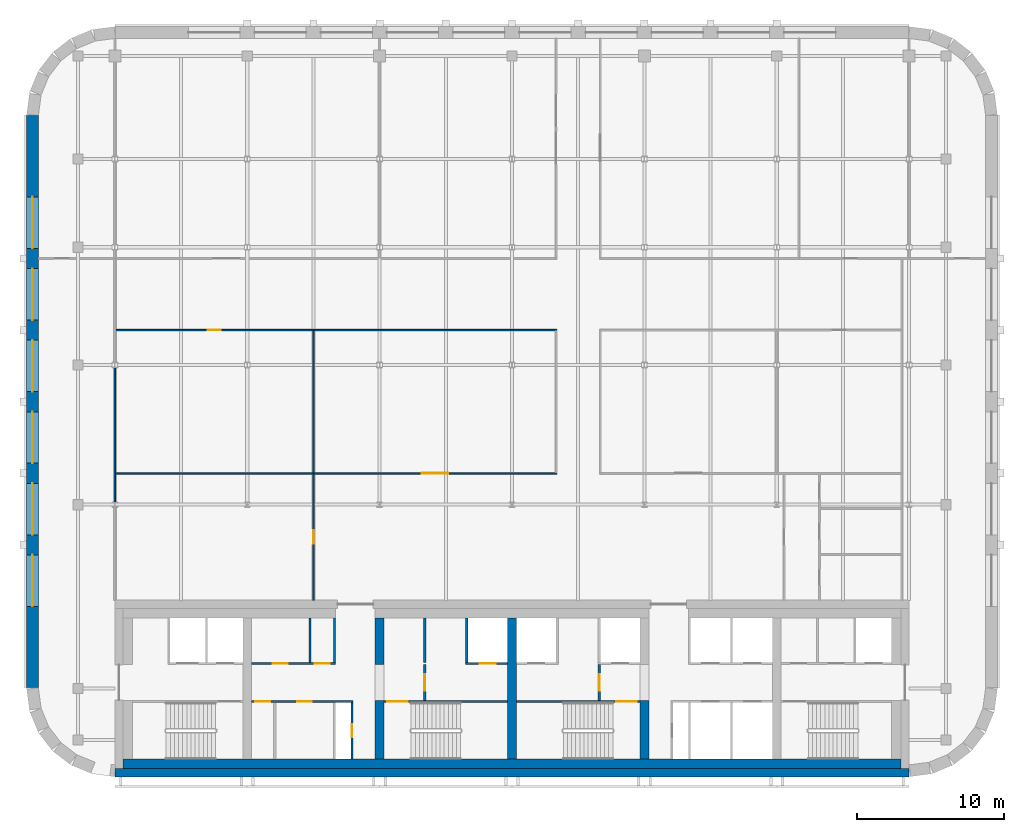
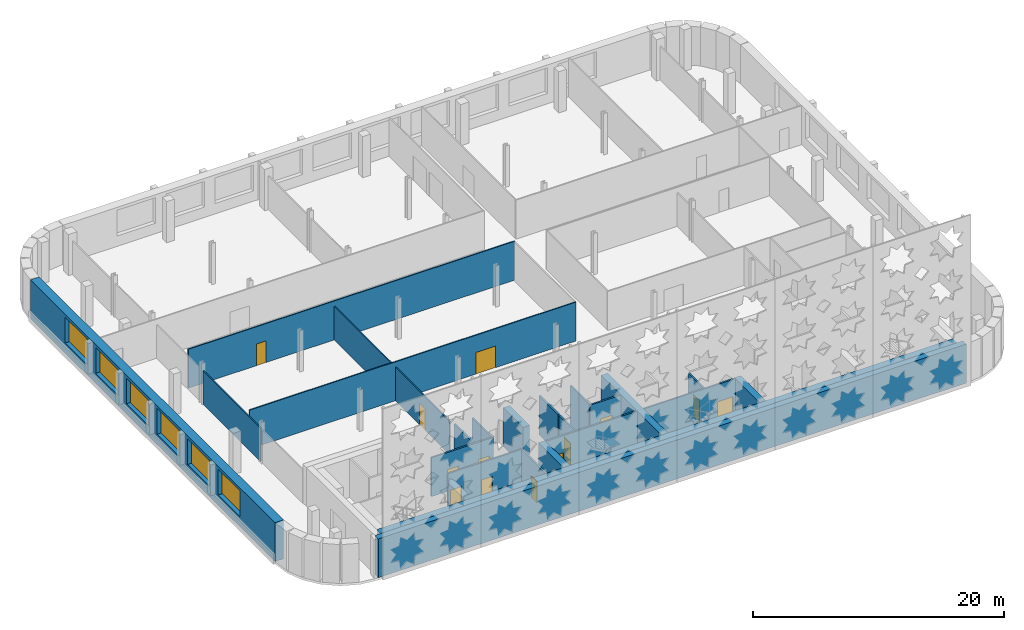
# One storey, part 7 of 14: 24 walls, 13 doors, 6 windows, 19 openings.
"""IFC4 building model written with IfcOpenShell, lengths in metres."""

from ifc_helpers import new_model, si_unit, direction, frame, frame_2d, origin, place, context, subcontext, project, spatial, rectangle, extrude, material, layer, layer_set, type_object, element, fill, save


model = new_model("IFC4")

# Units and contexts
model_context = context("Model", 3, precision=1e-05, world=origin(), true_north=direction((0.0, 1.0)))
body_context = subcontext(model_context, "Body", "Model", "MODEL_VIEW")
ifc_project = project(units=[si_unit("LENGTHUNIT", "METRE"), si_unit("AREAUNIT", "SQUARE_METRE"), si_unit("VOLUMEUNIT", "CUBIC_METRE"), si_unit("PLANEANGLEUNIT", "RADIAN"), si_unit("MASSUNIT", "GRAM", prefix="KILO")], contexts=[model_context])

# Site, building, storey
site_placement = place(None, origin())
site = spatial("IfcSite", under=ifc_project, at=site_placement, CompositionType="ELEMENT")
building_placement = place(site_placement, origin())
building = spatial("IfcBuilding", under=site, at=building_placement, Name="Zellij Exchange Tower", CompositionType="ELEMENT")
storey_placement = place(building_placement, frame((0.0, 0.0, 288.5)))
storey = spatial("IfcBuildingStorey", under=building, at=storey_placement, Name="L68", CompositionType="ELEMENT", Elevation=288.5)

# Walls
ifc_material_1 = material(Name="Concrete C50/60", Category="concrete")
ifc_layer_1 = layer(ifc_material_1, 0.60009765625)
ifc_layer_set_1 = layer_set([ifc_layer_1], Name="Concrete C50/60")
wall_type_1 = type_object("IfcWallType", Name="CORE-CW 600 C50/60", PredefinedType="SHEAR", material=ifc_layer_set_1)
wall_1_placement = place(storey_placement, frame((-9.0, -12.800048828125, 0.0), z_axis=(0.0, 0.0, 1.0), x_axis=(0.0, 1.0, 0.0)))
element("IfcWall", 1, at=wall_1_placement, inside=storey, type_object=wall_type_1, Name="Core cross wall pier x -9 a L68", PredefinedType="SHEAR", context=body_context, shape_type="SweptSolid", body=[
    extrude(rectangle(XDim=4.0, YDim=0.60009765625, at=frame_2d((2.0, 0.0))), origin(), (0.0, 0.0, 1.0), 3.780029296875),
])
wall_2_placement = place(storey_placement, frame((-9.0, -6.375, 0.0), z_axis=(0.0, 0.0, 1.0), x_axis=(0.0, 1.0, 0.0)))
element("IfcWall", 2, at=wall_2_placement, inside=storey, type_object=wall_type_1, Name="Core cross wall pier x -9 b L68", PredefinedType="SHEAR", context=body_context, shape_type="SweptSolid", body=[
    extrude(rectangle(XDim=3.175048828125, YDim=0.60009765625, at=frame_2d((1.58740234375, 0.0))), origin(), (0.0, 0.0, 1.0), 3.780029296875),
])
wall_3_placement = place(storey_placement, frame((0.0, -12.800048828125, 0.0), z_axis=(0.0, 0.0, 1.0), x_axis=(0.0, 1.0, 0.0)))
element("IfcWall", 3, at=wall_3_placement, inside=storey, type_object=wall_type_1, Name="Core cross wall x 0 L68", PredefinedType="SHEAR", context=body_context, shape_type="SweptSolid", body=[
    extrude(rectangle(XDim=9.60009765625, YDim=0.60009765625, at=frame_2d((4.800048828125, 0.0))), origin(), (0.0, 0.0, 1.0), 3.780029296875),
])
wall_4_placement = place(storey_placement, frame((9.0, -12.800048828125, 0.0), z_axis=(0.0, 0.0, 1.0), x_axis=(0.0, 1.0, 0.0)))
element("IfcWall", 4, at=wall_4_placement, inside=storey, type_object=wall_type_1, Name="Core cross wall pier x 9 a L68", PredefinedType="SHEAR", context=body_context, shape_type="SweptSolid", body=[
    extrude(rectangle(XDim=4.0, YDim=0.60009765625, at=frame_2d((2.0, 0.0))), origin(), (0.0, 0.0, 1.0), 3.780029296875),
])
ifc_material_2 = material(Name="Concrete C30/37", Category="concrete")
ifc_layer_2 = layer(ifc_material_2, 0.64990234375)
ifc_layer_set_2 = layer_set([ifc_layer_2], Name="Concrete C30/37")
wall_type_2 = type_object("IfcWallType", Name="CORE-LW 650 C30/37", PredefinedType="SHEAR", material=ifc_layer_set_2)
wall_5_placement = place(storey_placement, frame((-26.449951171875, -13.125, 0.0), z_axis=(0.0, 0.0, 1.0), x_axis=(1.0, 0.0, 0.0)))
element("IfcWall", 5, at=wall_5_placement, inside=storey, type_object=wall_type_2, Name="Core wall lining rear.0 L68", PredefinedType="SHEAR", context=body_context, shape_type="SweptSolid", body=[
    extrude(rectangle(XDim=52.89990234375, YDim=0.64990234375, at=frame_2d((26.449951171875, 0.0))), origin(), (0.0, 0.0, 1.0), 3.780029296875),
])

# Wall, opening, door
ifc_material_3 = material(Name="Gypsum shaft wall system")
ifc_layer_3 = layer(ifc_material_3, 0.14990234375)
ifc_layer_set_3 = layer_set([ifc_layer_3], Name="Gypsum shaft wall system")
wall_type_3 = type_object("IfcWallType", Name="CORE-PW 150 Firefighting lobby wall", PredefinedType="PARTITIONING", material=ifc_layer_set_3)
wall_6_placement = place(storey_placement, frame((-5.925048828125, -8.800048828125, 0.0), z_axis=(0.0, 0.0, 1.0), x_axis=(0.0, 1.0, 0.0)))
wall_6 = element("IfcWall", 6, at=wall_6_placement, inside=storey, type_object=wall_type_3, Name="Firefighting lobby wall L68", PredefinedType="PARTITIONING", context=body_context, shape_type="SweptSolid", body=[
    extrude(rectangle(XDim=2.425048828125, YDim=0.14990234375, at=frame_2d((1.21240234375, 0.0))), origin(), (0.0, 0.0, 1.0), 3.780029296875),
])
opening_1_placement = place(wall_6_placement, frame((0.662109375, 0.0, 0.0)))
opening_1 = element("IfcOpeningElement", 7, at=opening_1_placement, cuts=wall_6, Name="Opening CA-35.12", PredefinedType="OPENING", context=body_context, shape_type="SweptSolid", body=[
    extrude(rectangle(XDim=1.10009765625, YDim=2.10009765625, at=frame_2d((0.550048828125, 1.050048828125))), frame((0.0, 0.0869140625, 0.0), z_axis=(0.0, -1.0, 0.0), x_axis=(1.0, 0.0, 0.0)), (0.0, 0.0, 1.0), 0.173828125),
])
ifc_material_4 = material(Name="Hollow metal fire door")
door_type_1 = type_object("IfcDoorType", Name="CORE-D F Firefighting lobby door 1100x2100 1 HR", OperationType="NOTDEFINED", PredefinedType="DOOR", material=ifc_material_4)
door_1_placement = place(opening_1_placement, origin())
door_1 = element("IfcDoor", 8, at=door_1_placement, inside=storey, type_object=door_type_1, Name="Firefighting lobby door CA-35.12", OperationType="SINGLE_SWING_LEFT", OverallHeight=2.10009765625, OverallWidth=1.10009765625, PredefinedType="DOOR", context=body_context, shape_type="SweptSolid", body=[
    extrude(rectangle(XDim=1.10009765625, YDim=2.10009765625, at=frame_2d((0.550048828125, 1.050048828125))), frame((0.0, 0.02490234375, 0.0), z_axis=(0.0, -1.0, 0.0), x_axis=(1.0, 0.0, 0.0)), (0.0, 0.0, 1.0), 0.050048828125),
])
fill(opening_1, door_1)

wall_7_placement = place(storey_placement, frame((5.925048828125, -8.800048828125, 0.0), z_axis=(0.0, 0.0, 1.0), x_axis=(0.0, 1.0, 0.0)))
wall_7 = element("IfcWall", 9, at=wall_7_placement, inside=storey, type_object=wall_type_3, Name="Firefighting lobby wall L68", PredefinedType="PARTITIONING", context=body_context, shape_type="SweptSolid", body=[
    extrude(rectangle(XDim=2.425048828125, YDim=0.14990234375, at=frame_2d((1.21240234375, 0.0))), origin(), (0.0, 0.0, 1.0), 3.780029296875),
])
opening_2_placement = place(wall_7_placement, frame((0.662109375, 0.0, 0.0)))
opening_2 = element("IfcOpeningElement", 10, at=opening_2_placement, cuts=wall_7, Name="Opening CA-35.15", PredefinedType="OPENING", context=body_context, shape_type="SweptSolid", body=[
    extrude(rectangle(XDim=1.10009765625, YDim=2.10009765625, at=frame_2d((0.550048828125, 1.050048828125))), frame((0.0, 0.0869140625, 0.0), z_axis=(0.0, -1.0, 0.0), x_axis=(1.0, 0.0, 0.0)), (0.0, 0.0, 1.0), 0.173828125),
])
door_2_placement = place(opening_2_placement, origin())
door_2 = element("IfcDoor", 11, at=door_2_placement, inside=storey, type_object=door_type_1, Name="Firefighting lobby door CA-35.15", OperationType="SINGLE_SWING_RIGHT", OverallHeight=2.10009765625, OverallWidth=1.10009765625, PredefinedType="DOOR", context=body_context, shape_type="SweptSolid", body=[
    extrude(rectangle(XDim=1.10009765625, YDim=2.10009765625, at=frame_2d((0.550048828125, 1.050048828125))), frame((0.0, 0.02490234375, 0.0), z_axis=(0.0, -1.0, 0.0), x_axis=(1.0, 0.0, 0.0)), (0.0, 0.0, 1.0), 0.050048828125),
])
fill(opening_2, door_2)

# Walls
ifc_material_5 = material(Name="Gypsum board partition")
ifc_layer_4 = layer(ifc_material_5, 0.14990234375)
ifc_layer_set_4 = layer_set([ifc_layer_4], Name="Gypsum board partition")
wall_type_4 = type_object("IfcWallType", Name="CORE-PW 150 Lift lobby wall", PredefinedType="PARTITIONING", material=ifc_layer_set_4)
for number, where, z_axis, x_axis, name in (
    (12, (-12.074951171875, -6.22509765625, 0.0), (0.0, 0.0, 1.0), (0.0, 1.0, 0.0), "Lift lobby wall L68"),
    (13, (-13.72509765625, -6.22509765625, 0.0), (0.0, 0.0, 1.0), (0.0, 1.0, 0.0), "Lift lobby wall L68"),
    (14, (-5.925048828125, -6.22509765625, 0.0), (0.0, 0.0, 1.0), (0.0, 1.0, 0.0), "Lift lobby wall L68"),
):
    element("IfcWall", number, at=place(storey_placement, frame(where, z_axis=z_axis, x_axis=x_axis)), inside=storey, type_object=wall_type_4, Name=name, PredefinedType="PARTITIONING", context=body_context, shape_type="SweptSolid", body=[
        extrude(rectangle(XDim=3.025146484375, YDim=0.14990234375, at=frame_2d((1.5126953125, 0.0))), origin(), (0.0, 0.0, 1.0), 3.780029296875),
    ])

# Wall, opening, door
wall_8_placement = place(storey_placement, frame((-10.875, -12.800048828125, 0.0), z_axis=(0.0, 0.0, 1.0), x_axis=(0.0, 1.0, 0.0)))
wall_8 = element("IfcWall", 15, at=wall_8_placement, inside=storey, type_object=wall_type_4, Name="Lift lobby wall L68", PredefinedType="PARTITIONING", context=body_context, shape_type="SweptSolid", body=[
    extrude(rectangle(XDim=3.85009765625, YDim=0.14990234375, at=frame_2d((1.925048828125, 0.0))), origin(), (0.0, 0.0, 1.0), 3.780029296875),
])
opening_3_placement = place(wall_8_placement, frame((1.47509765625, 0.0, 0.0)))
opening_3 = element("IfcOpeningElement", 16, at=opening_3_placement, cuts=wall_8, Name="Opening CA-35.09", PredefinedType="OPENING", context=body_context, shape_type="SweptSolid", body=[
    extrude(rectangle(XDim=0.89990234375, YDim=2.10009765625, at=frame_2d((0.449951171875, 1.050048828125))), frame((0.0, 0.0869140625, 0.0), z_axis=(0.0, -1.0, 0.0), x_axis=(1.0, 0.0, 0.0)), (0.0, 0.0, 1.0), 0.173828125),
])
door_type_2 = type_object("IfcDoorType", Name="CORE-D RD Riser door 900x2100 1.5 HR", OperationType="NOTDEFINED", PredefinedType="DOOR", material=ifc_material_4)
door_3_placement = place(opening_3_placement, origin())
door_3 = element("IfcDoor", 17, at=door_3_placement, inside=storey, type_object=door_type_2, Name="Riser door CA-35.09", OperationType="SINGLE_SWING_RIGHT", OverallHeight=2.10009765625, OverallWidth=0.89990234375, PredefinedType="DOOR", context=body_context, shape_type="SweptSolid", body=[
    extrude(rectangle(XDim=0.89990234375, YDim=2.10009765625, at=frame_2d((0.449951171875, 1.050048828125))), frame((0.0, 0.02490234375, 0.0), z_axis=(0.0, -1.0, 0.0), x_axis=(1.0, 0.0, 0.0)), (0.0, 0.0, 1.0), 0.050048828125),
])
fill(opening_3, door_3)

# Wall, openings, doors
wall_9_placement = place(storey_placement, frame((-17.699951171875, -6.300048828125, 0.0), z_axis=(0.0, 0.0, 1.0), x_axis=(1.0, 0.0, 0.0)))
wall_9 = element("IfcWall", 18, at=wall_9_placement, inside=storey, type_object=wall_type_4, Name="Lift lobby wall L68", PredefinedType="PARTITIONING", context=body_context, shape_type="SweptSolid", body=[
    extrude(rectangle(XDim=5.699951171875, YDim=0.14990234375, at=frame_2d((2.85009765625, 0.0))), origin(), (0.0, 0.0, 1.0), 3.780029296875),
])
opening_4_placement = place(wall_9_placement, frame((1.449951171875, 0.0, 0.0)))
opening_4 = element("IfcOpeningElement", 19, at=opening_4_placement, cuts=wall_9, Name="Opening CA-35.06", PredefinedType="OPENING", context=body_context, shape_type="SweptSolid", body=[
    extrude(rectangle(XDim=1.0, YDim=2.10009765625, at=frame_2d((0.5, 1.050048828125))), frame((0.0, 0.0869140625, 0.0), z_axis=(0.0, -1.0, 0.0), x_axis=(1.0, 0.0, 0.0)), (0.0, 0.0, 1.0), 0.173828125),
])
opening_5_placement = place(wall_9_placement, frame((4.300048828125, 0.0, 0.0)))
opening_5 = element("IfcOpeningElement", 20, at=opening_5_placement, cuts=wall_9, Name="Opening CA-35.08", PredefinedType="OPENING", context=body_context, shape_type="SweptSolid", body=[
    extrude(rectangle(XDim=1.0, YDim=2.10009765625, at=frame_2d((0.5, 1.050048828125))), frame((0.0, 0.0869140625, 0.0), z_axis=(0.0, -1.0, 0.0), x_axis=(1.0, 0.0, 0.0)), (0.0, 0.0, 1.0), 0.173828125),
])
door_type_3 = type_object("IfcDoorType", Name="CORE-D CD Core room door 1000x2100 1 HR", OperationType="NOTDEFINED", PredefinedType="DOOR", material=ifc_material_4)
door_4_placement = place(opening_4_placement, origin())
door_4 = element("IfcDoor", 21, at=door_4_placement, inside=storey, type_object=door_type_3, Name="Core room door CA-35.06", OperationType="SINGLE_SWING_LEFT", OverallHeight=2.10009765625, OverallWidth=1.0, PredefinedType="DOOR", context=body_context, shape_type="SweptSolid", body=[
    extrude(rectangle(XDim=1.0, YDim=2.10009765625, at=frame_2d((0.5, 1.050048828125))), frame((0.0, 0.02490234375, 0.0), z_axis=(0.0, -1.0, 0.0), x_axis=(1.0, 0.0, 0.0)), (0.0, 0.0, 1.0), 0.050048828125),
])
fill(opening_4, door_4)
door_5_placement = place(opening_5_placement, origin())
door_5 = element("IfcDoor", 22, at=door_5_placement, inside=storey, type_object=door_type_3, Name="Core room door CA-35.08", OperationType="SINGLE_SWING_RIGHT", OverallHeight=2.10009765625, OverallWidth=1.0, PredefinedType="DOOR", context=body_context, shape_type="SweptSolid", body=[
    extrude(rectangle(XDim=1.0, YDim=2.10009765625, at=frame_2d((0.5, 1.050048828125))), frame((0.0, 0.02490234375, 0.0), z_axis=(0.0, -1.0, 0.0), x_axis=(1.0, 0.0, 0.0)), (0.0, 0.0, 1.0), 0.050048828125),
])
fill(opening_5, door_5)

wall_10_placement = place(storey_placement, frame((-17.699951171875, -8.875, 0.0), z_axis=(0.0, 0.0, 1.0), x_axis=(1.0, 0.0, 0.0)))
wall_10 = element("IfcWall", 23, at=wall_10_placement, inside=storey, type_object=wall_type_4, Name="Lift lobby wall L68", PredefinedType="PARTITIONING", context=body_context, shape_type="SweptSolid", body=[
    extrude(rectangle(XDim=6.89990234375, YDim=0.14990234375, at=frame_2d((3.449951171875, 0.0))), origin(), (0.0, 0.0, 1.0), 3.780029296875),
])
opening_6_placement = place(wall_10_placement, frame((0.25, 0.0, 0.0)))
opening_6 = element("IfcOpeningElement", 24, at=opening_6_placement, cuts=wall_10, Name="Opening CA-35.05", PredefinedType="OPENING", context=body_context, shape_type="SweptSolid", body=[
    extrude(rectangle(XDim=1.0, YDim=2.10009765625, at=frame_2d((0.5, 1.050048828125))), frame((0.0, 0.0869140625, 0.0), z_axis=(0.0, -1.0, 0.0), x_axis=(1.0, 0.0, 0.0)), (0.0, 0.0, 1.0), 0.173828125),
])
opening_7_placement = place(wall_10_placement, frame((3.10009765625, 0.0, 0.0)))
opening_7 = element("IfcOpeningElement", 25, at=opening_7_placement, cuts=wall_10, Name="Opening CA-35.07", PredefinedType="OPENING", context=body_context, shape_type="SweptSolid", body=[
    extrude(rectangle(XDim=1.0, YDim=2.10009765625, at=frame_2d((0.5, 1.050048828125))), frame((0.0, 0.0869140625, 0.0), z_axis=(0.0, -1.0, 0.0), x_axis=(1.0, 0.0, 0.0)), (0.0, 0.0, 1.0), 0.173828125),
])
door_6_placement = place(opening_6_placement, origin())
door_6 = element("IfcDoor", 26, at=door_6_placement, inside=storey, type_object=door_type_3, Name="Core room door CA-35.05", OperationType="SINGLE_SWING_RIGHT", OverallHeight=2.10009765625, OverallWidth=1.0, PredefinedType="DOOR", context=body_context, shape_type="SweptSolid", body=[
    extrude(rectangle(XDim=1.0, YDim=2.10009765625, at=frame_2d((0.5, 1.050048828125))), frame((0.0, 0.02490234375, 0.0), z_axis=(0.0, -1.0, 0.0), x_axis=(1.0, 0.0, 0.0)), (0.0, 0.0, 1.0), 0.050048828125),
])
fill(opening_6, door_6)
door_7_placement = place(opening_7_placement, origin())
door_7 = element("IfcDoor", 27, at=door_7_placement, inside=storey, type_object=door_type_3, Name="Core room door CA-35.07", OperationType="SINGLE_SWING_LEFT", OverallHeight=2.10009765625, OverallWidth=1.0, PredefinedType="DOOR", context=body_context, shape_type="SweptSolid", body=[
    extrude(rectangle(XDim=1.0, YDim=2.10009765625, at=frame_2d((0.5, 1.050048828125))), frame((0.0, 0.02490234375, 0.0), z_axis=(0.0, -1.0, 0.0), x_axis=(1.0, 0.0, 0.0)), (0.0, 0.0, 1.0), 0.050048828125),
])
fill(opening_7, door_7)

# Wall
ifc_layer_5 = layer(ifc_material_3, 0.14990234375)
ifc_layer_set_5 = layer_set([ifc_layer_5], Name="Gypsum shaft wall system")
wall_type_5 = type_object("IfcWallType", Name="CORE-PW 150 Lift shaft wall", PredefinedType="PARTITIONING", material=ifc_layer_set_5)
wall_11_placement = place(storey_placement, frame((-3.074951171875, -6.22509765625, 0.0), z_axis=(0.0, 0.0, 1.0), x_axis=(0.0, 1.0, 0.0)))
element("IfcWall", 28, at=wall_11_placement, inside=storey, type_object=wall_type_5, Name="Lift shaft wall L68", PredefinedType="PARTITIONING", context=body_context, shape_type="SweptSolid", body=[
    extrude(rectangle(XDim=3.025146484375, YDim=0.14990234375, at=frame_2d((1.5126953125, 0.0))), origin(), (0.0, 0.0, 1.0), 3.780029296875),
])

# Wall, opening, door
wall_12_placement = place(storey_placement, frame((-3.14990234375, -6.300048828125, 0.0), z_axis=(0.0, 0.0, 1.0), x_axis=(1.0, 0.0, 0.0)))
wall_12 = element("IfcWall", 29, at=wall_12_placement, inside=storey, type_object=wall_type_5, Name="Lift shaft wall L68", PredefinedType="PARTITIONING", context=body_context, shape_type="SweptSolid", body=[
    extrude(rectangle(XDim=2.849853515625, YDim=0.14990234375, at=frame_2d((1.4248046875, 0.0))), origin(), (0.0, 0.0, 1.0), 3.780029296875),
])
opening_8_placement = place(wall_12_placement, frame((0.949951171875, 0.0, 0.0)))
opening_8 = element("IfcOpeningElement", 30, at=opening_8_placement, cuts=wall_12, Name="Opening CA-35.13", PredefinedType="OPENING", context=body_context, shape_type="SweptSolid", body=[
    extrude(rectangle(XDim=1.10009765625, YDim=2.10009765625, at=frame_2d((0.550048828125, 1.050048828125))), frame((0.0, 0.0869140625, 0.0), z_axis=(0.0, -1.0, 0.0), x_axis=(1.0, 0.0, 0.0)), (0.0, 0.0, 1.0), 0.173828125),
])
door_type_4 = type_object("IfcDoorType", Name="CORE-D LD Lift landing door 1100x2100 1.5 HR", OperationType="NOTDEFINED", PredefinedType="DOOR", material=ifc_material_4)
door_8_placement = place(opening_8_placement, origin())
door_8 = element("IfcDoor", 31, at=door_8_placement, inside=storey, type_object=door_type_4, Name="Lift landing door CA-35.13", OperationType="SLIDING_TO_LEFT", OverallHeight=2.10009765625, OverallWidth=1.10009765625, PredefinedType="DOOR", context=body_context, shape_type="SweptSolid", body=[
    extrude(rectangle(XDim=1.10009765625, YDim=2.10009765625, at=frame_2d((0.550048828125, 1.050048828125))), frame((0.0, 0.02490234375, 0.0), z_axis=(0.0, -1.0, 0.0), x_axis=(1.0, 0.0, 0.0)), (0.0, 0.0, 1.0), 0.050048828125),
])
fill(opening_8, door_8)

# Wall
ifc_layer_6 = layer(ifc_material_1, 0.550048828125)
ifc_layer_set_6 = layer_set([ifc_layer_6], Name="Concrete C50/60")
wall_type_6 = type_object("IfcWallType", Name="CORE-SW 550 C50/60", PredefinedType="SHEAR", material=ifc_layer_set_6)
wall_13_placement = place(storey_placement, frame((-27.0, -13.72509765625, 0.0), z_axis=(0.0, 0.0, 1.0), x_axis=(1.0, 0.0, 0.0)))
element("IfcWall", 32, at=wall_13_placement, inside=storey, type_object=wall_type_6, Name="Core shear wall rear L68", PredefinedType="SHEAR", context=body_context, shape_type="SweptSolid", body=[
    extrude(rectangle(XDim=54.0, YDim=0.550048828125, at=frame_2d((27.0, 0.0))), origin(), (0.0, 0.0, 1.0), 3.780029296875),
])

# Wall, opening, door
ifc_layer_7 = layer(ifc_material_1, 0.14990234375)
ifc_layer_set_7 = layer_set([ifc_layer_7], Name="Concrete C50/60")
wall_type_7 = type_object("IfcWallType", Name="CORE-SWS 150 C50/60", PredefinedType="SHEAR", material=ifc_layer_set_7)
wall_14_placement = place(storey_placement, frame((-8.699951171875, -8.875, 0.0), z_axis=(0.0, 0.0, 1.0), x_axis=(1.0, 0.0, 0.0)))
wall_14 = element("IfcWall", 33, at=wall_14_placement, inside=storey, type_object=wall_type_7, Name="Stair enclosure wall L68", PredefinedType="SHEAR", context=body_context, shape_type="SweptSolid", body=[
    extrude(rectangle(XDim=8.39990234375, YDim=0.14990234375, at=frame_2d((4.199951171875, 0.0))), origin(), (0.0, 0.0, 1.0), 3.780029296875),
])
opening_9_placement = place(wall_14_placement, frame((0.22509765625, 0.0, 0.0)))
opening_9 = element("IfcOpeningElement", 34, at=opening_9_placement, cuts=wall_14, Name="Opening CA-35.11", PredefinedType="OPENING", context=body_context, shape_type="SweptSolid", body=[
    extrude(rectangle(XDim=1.39990234375, YDim=2.10009765625, at=frame_2d((0.699951171875, 1.050048828125))), frame((0.0, 0.0869140625, 0.0), z_axis=(0.0, -1.0, 0.0), x_axis=(1.0, 0.0, 0.0)), (0.0, 0.0, 1.0), 0.173828125),
])
door_type_5 = type_object("IfcDoorType", Name="CORE-D SD Stair door 1400x2100 1.5 HR", OperationType="NOTDEFINED", PredefinedType="DOOR", material=ifc_material_4)
door_9_placement = place(opening_9_placement, origin())
door_9 = element("IfcDoor", 35, at=door_9_placement, inside=storey, type_object=door_type_5, Name="Stair door CA-35.11", OperationType="DOUBLE_DOOR_SINGLE_SWING", OverallHeight=2.10009765625, OverallWidth=1.39990234375, PredefinedType="DOOR", context=body_context, shape_type="SweptSolid", body=[
    extrude(rectangle(XDim=1.39990234375, YDim=2.10009765625, at=frame_2d((0.699951171875, 1.050048828125))), frame((0.0, 0.02490234375, 0.0), z_axis=(0.0, -1.0, 0.0), x_axis=(1.0, 0.0, 0.0)), (0.0, 0.0, 1.0), 0.050048828125),
])
fill(opening_9, door_9)

wall_15_placement = place(storey_placement, frame((0.300048828125, -8.875, 0.0), z_axis=(0.0, 0.0, 1.0), x_axis=(1.0, 0.0, 0.0)))
wall_15 = element("IfcWall", 36, at=wall_15_placement, inside=storey, type_object=wall_type_7, Name="Stair enclosure wall L68", PredefinedType="SHEAR", context=body_context, shape_type="SweptSolid", body=[
    extrude(rectangle(XDim=8.39990234375, YDim=0.14990234375, at=frame_2d((4.199951171875, 0.0))), origin(), (0.0, 0.0, 1.0), 3.780029296875),
])
opening_10_placement = place(wall_15_placement, frame((6.77490234375, 0.0, 0.0)))
opening_10 = element("IfcOpeningElement", 37, at=opening_10_placement, cuts=wall_15, Name="Opening CA-35.17", PredefinedType="OPENING", context=body_context, shape_type="SweptSolid", body=[
    extrude(rectangle(XDim=1.39990234375, YDim=2.10009765625, at=frame_2d((0.699951171875, 1.050048828125))), frame((0.0, 0.0869140625, 0.0), z_axis=(0.0, -1.0, 0.0), x_axis=(1.0, 0.0, 0.0)), (0.0, 0.0, 1.0), 0.173828125),
])
door_10_placement = place(opening_10_placement, origin())
door_10 = element("IfcDoor", 38, at=door_10_placement, inside=storey, type_object=door_type_5, Name="Stair door CA-35.17", OperationType="DOUBLE_DOOR_SINGLE_SWING", OverallHeight=2.10009765625, OverallWidth=1.39990234375, PredefinedType="DOOR", context=body_context, shape_type="SweptSolid", body=[
    extrude(rectangle(XDim=1.39990234375, YDim=2.10009765625, at=frame_2d((0.699951171875, 1.050048828125))), frame((0.0, 0.02490234375, 0.0), z_axis=(0.0, -1.0, 0.0), x_axis=(1.0, 0.0, 0.0)), (0.0, 0.0, 1.0), 0.050048828125),
])
fill(opening_10, door_10)

# Wall, openings, windows
ifc_material_6 = material(Name="Precast concrete C40/50", Category="concrete")
ifc_layer_8 = layer(ifc_material_6, 0.800048828125)
ifc_layer_set_8 = layer_set([ifc_layer_8], Name="Precast concrete C40/50")
wall_type_8 = type_object("IfcWallType", Name="ENV-EW1 Precast stone-piered wall 800", PredefinedType="SOLIDWALL", material=ifc_layer_set_8)
wall_16_placement = place(storey_placement, frame((-32.60009765625, 30.947509765625, 0.0), z_axis=(0.0, 0.0, 1.0), x_axis=(0.0, -1.0, 0.0)))
wall_16 = element("IfcWall", 39, at=wall_16_placement, inside=storey, type_object=wall_type_8, Name="fac.L68.21", PredefinedType="SOLIDWALL", context=body_context, shape_type="SweptSolid", body=[
    extrude(rectangle(XDim=38.89501953125, YDim=0.800048828125, at=frame_2d((19.447509765625, 0.0))), origin(), (0.0, 0.0, 1.0), 3.780029296875),
])
opening_11_placement = place(wall_16_placement, frame((5.5263671875, 0.0, 1.0)))
opening_11 = element("IfcOpeningElement", 40, at=opening_11_placement, cuts=wall_16, Name="Opening FC2.17", PredefinedType="OPENING", context=body_context, shape_type="SweptSolid", body=[
    extrude(rectangle(XDim=3.5, YDim=2.5, at=frame_2d((1.75, 1.25))), frame((0.0, 0.412109375, 0.0), z_axis=(0.0, -1.0, 0.0), x_axis=(1.0, 0.0, 0.0)), (0.0, 0.0, 1.0), 0.823974609375),
])
opening_12_placement = place(wall_16_placement, frame((10.39501953125, 0.0, 1.0)))
opening_12 = element("IfcOpeningElement", 41, at=opening_12_placement, cuts=wall_16, Name="Opening FC2.18", PredefinedType="OPENING", context=body_context, shape_type="SweptSolid", body=[
    extrude(rectangle(XDim=3.5, YDim=2.5, at=frame_2d((1.75, 1.25))), frame((0.0, 0.412109375, 0.0), z_axis=(0.0, -1.0, 0.0), x_axis=(1.0, 0.0, 0.0)), (0.0, 0.0, 1.0), 0.823974609375),
])
opening_13_placement = place(wall_16_placement, frame((15.26318359375, 0.0, 1.0)))
opening_13 = element("IfcOpeningElement", 42, at=opening_13_placement, cuts=wall_16, Name="Opening FC2.19", PredefinedType="OPENING", context=body_context, shape_type="SweptSolid", body=[
    extrude(rectangle(XDim=3.5, YDim=2.5, at=frame_2d((1.75, 1.25))), frame((0.0, 0.412109375, 0.0), z_axis=(0.0, -1.0, 0.0), x_axis=(1.0, 0.0, 0.0)), (0.0, 0.0, 1.0), 0.823974609375),
])
opening_14_placement = place(wall_16_placement, frame((20.1318359375, 0.0, 1.0)))
opening_14 = element("IfcOpeningElement", 43, at=opening_14_placement, cuts=wall_16, Name="Opening FC2.20", PredefinedType="OPENING", context=body_context, shape_type="SweptSolid", body=[
    extrude(rectangle(XDim=3.5, YDim=2.5, at=frame_2d((1.75, 1.25))), frame((0.0, 0.412109375, 0.0), z_axis=(0.0, -1.0, 0.0), x_axis=(1.0, 0.0, 0.0)), (0.0, 0.0, 1.0), 0.823974609375),
])
opening_15_placement = place(wall_16_placement, frame((25.000244140625, 0.0, 1.0)))
opening_15 = element("IfcOpeningElement", 44, at=opening_15_placement, cuts=wall_16, Name="Opening FC2.21", PredefinedType="OPENING", context=body_context, shape_type="SweptSolid", body=[
    extrude(rectangle(XDim=3.5, YDim=2.5, at=frame_2d((1.75, 1.25))), frame((0.0, 0.412109375, 0.0), z_axis=(0.0, -1.0, 0.0), x_axis=(1.0, 0.0, 0.0)), (0.0, 0.0, 1.0), 0.823974609375),
])
opening_16_placement = place(wall_16_placement, frame((29.86865234375, 0.0, 1.0)))
opening_16 = element("IfcOpeningElement", 45, at=opening_16_placement, cuts=wall_16, Name="Opening FC2.22", PredefinedType="OPENING", context=body_context, shape_type="SweptSolid", body=[
    extrude(rectangle(XDim=3.5, YDim=2.5, at=frame_2d((1.75, 1.25))), frame((0.0, 0.412109375, 0.0), z_axis=(0.0, -1.0, 0.0), x_axis=(1.0, 0.0, 0.0)), (0.0, 0.0, 1.0), 0.823974609375),
])
ifc_material_7 = material(Name="Aluminium frame with insulating glass", Category="aluminium")
window_type = type_object("IfcWindowType", Name="ENV-W1 Window 3500x2500", PartitioningType="SINGLE_PANEL", PredefinedType="WINDOW", material=ifc_material_7)
window_1_placement = place(opening_11_placement, origin())
window_1 = element("IfcWindow", 46, at=window_1_placement, inside=storey, type_object=window_type, Name="Window FC2.17", OverallHeight=2.5, OverallWidth=3.5, PartitioningType="SINGLE_PANEL", PredefinedType="WINDOW", context=body_context, shape_type="SweptSolid", body=[
    extrude(rectangle(XDim=3.5, YDim=2.5, at=frame_2d((1.75, 1.25))), frame((0.0, 0.030029296875, 0.0), z_axis=(0.0, -1.0, 0.0), x_axis=(1.0, 0.0, 0.0)), (0.0, 0.0, 1.0), 0.06005859375),
])
fill(opening_11, window_1)
window_2_placement = place(opening_12_placement, origin())
window_2 = element("IfcWindow", 47, at=window_2_placement, inside=storey, type_object=window_type, Name="Window FC2.18", OverallHeight=2.5, OverallWidth=3.5, PartitioningType="SINGLE_PANEL", PredefinedType="WINDOW", context=body_context, shape_type="SweptSolid", body=[
    extrude(rectangle(XDim=3.5, YDim=2.5, at=frame_2d((1.75, 1.25))), frame((0.0, 0.030029296875, 0.0), z_axis=(0.0, -1.0, 0.0), x_axis=(1.0, 0.0, 0.0)), (0.0, 0.0, 1.0), 0.06005859375),
])
fill(opening_12, window_2)
window_3_placement = place(opening_13_placement, origin())
window_3 = element("IfcWindow", 48, at=window_3_placement, inside=storey, type_object=window_type, Name="Window FC2.19", OverallHeight=2.5, OverallWidth=3.5, PartitioningType="SINGLE_PANEL", PredefinedType="WINDOW", context=body_context, shape_type="SweptSolid", body=[
    extrude(rectangle(XDim=3.5, YDim=2.5, at=frame_2d((1.75, 1.25))), frame((0.0, 0.030029296875, 0.0), z_axis=(0.0, -1.0, 0.0), x_axis=(1.0, 0.0, 0.0)), (0.0, 0.0, 1.0), 0.06005859375),
])
fill(opening_13, window_3)
window_4_placement = place(opening_14_placement, origin())
window_4 = element("IfcWindow", 49, at=window_4_placement, inside=storey, type_object=window_type, Name="Window FC2.20", OverallHeight=2.5, OverallWidth=3.5, PartitioningType="SINGLE_PANEL", PredefinedType="WINDOW", context=body_context, shape_type="SweptSolid", body=[
    extrude(rectangle(XDim=3.5, YDim=2.5, at=frame_2d((1.75, 1.25))), frame((0.0, 0.030029296875, 0.0), z_axis=(0.0, -1.0, 0.0), x_axis=(1.0, 0.0, 0.0)), (0.0, 0.0, 1.0), 0.06005859375),
])
fill(opening_14, window_4)
window_5_placement = place(opening_15_placement, origin())
window_5 = element("IfcWindow", 50, at=window_5_placement, inside=storey, type_object=window_type, Name="Window FC2.21", OverallHeight=2.5, OverallWidth=3.5, PartitioningType="SINGLE_PANEL", PredefinedType="WINDOW", context=body_context, shape_type="SweptSolid", body=[
    extrude(rectangle(XDim=3.5, YDim=2.5, at=frame_2d((1.75, 1.25))), frame((0.0, 0.030029296875, 0.0), z_axis=(0.0, -1.0, 0.0), x_axis=(1.0, 0.0, 0.0)), (0.0, 0.0, 1.0), 0.06005859375),
])
fill(opening_15, window_5)
window_6_placement = place(opening_16_placement, origin())
window_6 = element("IfcWindow", 51, at=window_6_placement, inside=storey, type_object=window_type, Name="Window FC2.22", OverallHeight=2.5, OverallWidth=3.5, PartitioningType="SINGLE_PANEL", PredefinedType="WINDOW", context=body_context, shape_type="SweptSolid", body=[
    extrude(rectangle(XDim=3.5, YDim=2.5, at=frame_2d((1.75, 1.25))), frame((0.0, 0.030029296875, 0.0), z_axis=(0.0, -1.0, 0.0), x_axis=(1.0, 0.0, 0.0)), (0.0, 0.0, 1.0), 0.06005859375),
])
fill(opening_16, window_6)

# Wall
ifc_material_8 = material(Name="Gypsum board partition on steel studs", Category="steel")
ifc_layer_9 = layer(ifc_material_8, 0.10009765625)
ifc_layer_set_9 = layer_set([ifc_layer_9], Name="Gypsum board partition on steel studs")
wall_type_9 = type_object("IfcWallType", Name="FIT-PARTITION-100", PredefinedType="PARTITIONING", material=ifc_layer_set_9)
wall_17_placement = place(storey_placement, frame((-27.0, 4.677734375, 0.0), z_axis=(0.0, 0.0, 1.0), x_axis=(0.0, 1.0, 0.0)))
element("IfcWall", 52, at=wall_17_placement, inside=storey, type_object=wall_type_9, Name="FIT-PARTITION-100 002", PredefinedType="PARTITIONING", context=body_context, shape_type="SweptSolid", body=[
    extrude(rectangle(XDim=9.14453125, YDim=0.10009765625, at=frame_2d((4.572265625, 0.0))), origin(), (0.0, 0.0, 1.0), 3.24658203125),
])

# Wall, opening, door
wall_18_placement = place(storey_placement, frame((-13.5, -2.0, 0.0), z_axis=(0.0, 0.0, 1.0), x_axis=(0.0, 1.0, 0.0)))
wall_18 = element("IfcWall", 53, at=wall_18_placement, inside=storey, type_object=wall_type_9, Name="FIT-PARTITION-100 004", PredefinedType="PARTITIONING", context=body_context, shape_type="SweptSolid", body=[
    extrude(rectangle(XDim=8.580078125, YDim=0.10009765625, at=frame_2d((4.2900390625, 0.0))), origin(), (0.0, 0.0, 1.0), 3.254150390625),
])
opening_17_placement = place(wall_18_placement, frame((3.85009765625, 0.0, 0.0)))
opening_17 = element("IfcOpeningElement", 54, at=opening_17_placement, cuts=wall_18, Name="Opening EX5.02", PredefinedType="OPENING", context=body_context, shape_type="SweptSolid", body=[
    extrude(rectangle(XDim=0.89990234375, YDim=2.10009765625, at=frame_2d((0.449951171875, 1.050048828125))), frame((0.0, 0.06201171875, 0.0), z_axis=(0.0, -1.0, 0.0), x_axis=(1.0, 0.0, 0.0)), (0.0, 0.0, 1.0), 0.1240234375),
])
ifc_material_9 = material(Name="Timber door set", Category="wood")
door_type_6 = type_object("IfcDoorType", Name="FIT-D1-ROOM-900X2100", OperationType="SINGLE_SWING_LEFT", PredefinedType="DOOR", material=ifc_material_9)
door_11_placement = place(opening_17_placement, origin())
door_11 = element("IfcDoor", 55, at=door_11_placement, inside=storey, type_object=door_type_6, Name="Door EX5.02", OperationType="SINGLE_SWING_LEFT", OverallHeight=2.10009765625, OverallWidth=0.89990234375, PredefinedType="DOOR", context=body_context, shape_type="SweptSolid", body=[
    extrude(rectangle(XDim=0.89990234375, YDim=2.10009765625, at=frame_2d((0.449951171875, 1.050048828125))), frame((0.0, 0.02490234375, 0.0), z_axis=(0.0, -1.0, 0.0), x_axis=(1.0, 0.0, 0.0)), (0.0, 0.0, 1.0), 0.050048828125),
])
fill(opening_17, door_11)

wall_19_placement = place(storey_placement, frame((-26.949951171875, 6.6298828125, 0.0), z_axis=(0.0, 0.0, 1.0), x_axis=(1.0, 0.0, 0.0)))
wall_19 = element("IfcWall", 56, at=wall_19_placement, inside=storey, type_object=wall_type_9, Name="FIT-PARTITION-100 010", PredefinedType="PARTITIONING", context=body_context, shape_type="SweptSolid", body=[
    extrude(rectangle(XDim=30.0, YDim=0.10009765625, at=frame_2d((15.0, 0.0))), origin(), (0.0, 0.0, 1.0), 3.780029296875),
])
opening_18_placement = place(wall_19_placement, frame((20.800048828125, 0.0, 0.0)))
opening_18 = element("IfcOpeningElement", 57, at=opening_18_placement, cuts=wall_19, Name="Opening EX5.06", PredefinedType="OPENING", context=body_context, shape_type="SweptSolid", body=[
    extrude(rectangle(XDim=1.800048828125, YDim=2.10009765625, at=frame_2d((0.89990234375, 1.050048828125))), frame((0.0, 0.06201171875, 0.0), z_axis=(0.0, -1.0, 0.0), x_axis=(1.0, 0.0, 0.0)), (0.0, 0.0, 1.0), 0.1240234375),
])
door_type_7 = type_object("IfcDoorType", Name="FIT-D3-DOUBLE-1800X2100", OperationType="DOUBLE_DOOR_SINGLE_SWING", PredefinedType="DOOR", material=ifc_material_9)
door_12_placement = place(opening_18_placement, origin())
door_12 = element("IfcDoor", 58, at=door_12_placement, inside=storey, type_object=door_type_7, Name="Door EX5.06", OperationType="DOUBLE_DOOR_SINGLE_SWING", OverallHeight=2.10009765625, OverallWidth=1.800048828125, PredefinedType="DOOR", context=body_context, shape_type="SweptSolid", body=[
    extrude(rectangle(XDim=1.800048828125, YDim=2.10009765625, at=frame_2d((0.89990234375, 1.050048828125))), frame((0.0, 0.02490234375, 0.0), z_axis=(0.0, -1.0, 0.0), x_axis=(1.0, 0.0, 0.0)), (0.0, 0.0, 1.0), 0.050048828125),
])
fill(opening_18, door_12)

# Wall
wall_20_placement = place(storey_placement, frame((-13.5, 6.679931640625, 0.0), z_axis=(0.0, 0.0, 1.0), x_axis=(0.0, 1.0, 0.0)))
element("IfcWall", 59, at=wall_20_placement, inside=storey, type_object=wall_type_9, Name="FIT-PARTITION-100 011", PredefinedType="PARTITIONING", context=body_context, shape_type="SweptSolid", body=[
    extrude(rectangle(XDim=9.64013671875, YDim=0.10009765625, at=frame_2d((4.820068359375, 0.0))), origin(), (0.0, 0.0, 1.0), 3.254150390625),
])

# Wall, opening, door
wall_21_placement = place(storey_placement, frame((-26.949951171875, 16.3701171875, 0.0), z_axis=(0.0, 0.0, 1.0), x_axis=(1.0, 0.0, 0.0)))
wall_21 = element("IfcWall", 60, at=wall_21_placement, inside=storey, type_object=wall_type_9, Name="FIT-PARTITION-100 017", PredefinedType="PARTITIONING", context=body_context, shape_type="SweptSolid", body=[
    extrude(rectangle(XDim=30.0, YDim=0.10009765625, at=frame_2d((15.0, 0.0))), origin(), (0.0, 0.0, 1.0), 3.780029296875),
])
opening_19_placement = place(wall_21_placement, frame((6.25, 0.0, 0.0)))
opening_19 = element("IfcOpeningElement", 61, at=opening_19_placement, cuts=wall_21, Name="Opening EX5.08", PredefinedType="OPENING", context=body_context, shape_type="SweptSolid", body=[
    extrude(rectangle(XDim=0.89990234375, YDim=2.10009765625, at=frame_2d((0.449951171875, 1.050048828125))), frame((0.0, 0.06201171875, 0.0), z_axis=(0.0, -1.0, 0.0), x_axis=(1.0, 0.0, 0.0)), (0.0, 0.0, 1.0), 0.1240234375),
])
door_13_placement = place(opening_19_placement, origin())
door_13 = element("IfcDoor", 62, at=door_13_placement, inside=storey, type_object=door_type_6, Name="Door EX5.08", OperationType="SINGLE_SWING_RIGHT", OverallHeight=2.10009765625, OverallWidth=0.89990234375, PredefinedType="DOOR", context=body_context, shape_type="SweptSolid", body=[
    extrude(rectangle(XDim=0.89990234375, YDim=2.10009765625, at=frame_2d((0.449951171875, 1.050048828125))), frame((0.0, 0.02490234375, 0.0), z_axis=(0.0, -1.0, 0.0), x_axis=(1.0, 0.0, 0.0)), (0.0, 0.0, 1.0), 0.050048828125),
])
fill(opening_19, door_13)

save(model, "model.ifc")
